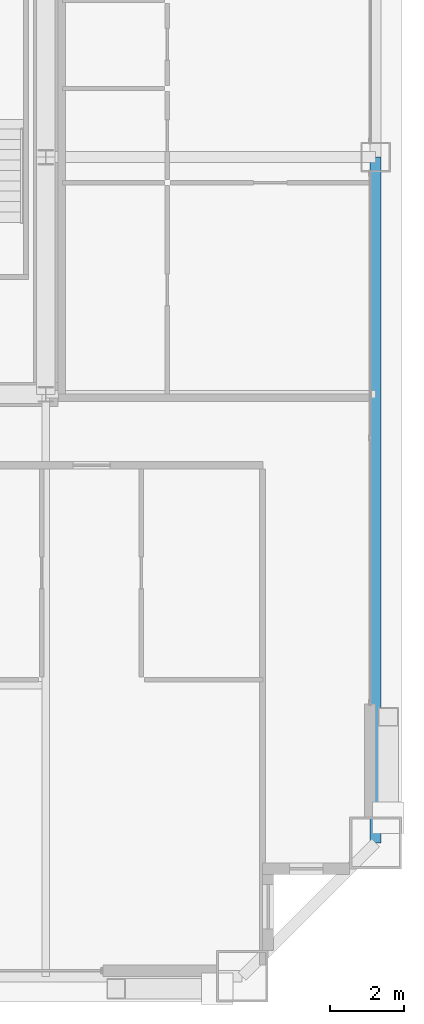
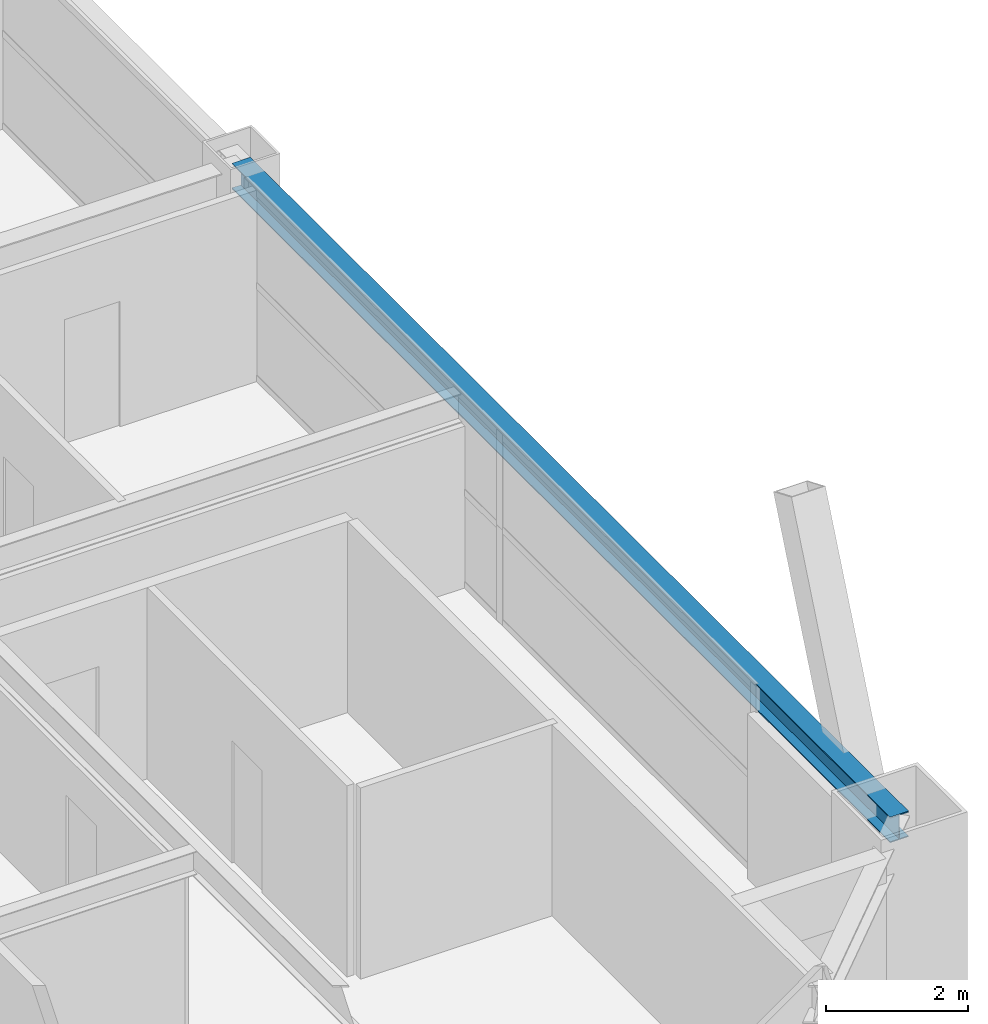
# One storey, part 20 of 42: 1 beam.
"""IFC4 building model written with IfcOpenShell, lengths in metres."""

from ifc_helpers import new_model, si_unit, direction, frame, origin, origin_2d, place, context, subcontext, project, spatial, i_section, extrude, source, transform, mapped, material, material_profile, profile_set, type_object, element, save


model = new_model("IFC4")

# Units and contexts
model_context = context("Model", 3, precision=1e-05, world=origin(), true_north=direction((0.0, 1.0)))
body_context = subcontext(model_context, "Body", "Model", "MODEL_VIEW")
ifc_project = project(units=[si_unit("LENGTHUNIT", "METRE"), si_unit("AREAUNIT", "SQUARE_METRE"), si_unit("VOLUMEUNIT", "CUBIC_METRE"), si_unit("PLANEANGLEUNIT", "RADIAN"), si_unit("MASSUNIT", "GRAM", prefix="KILO"), si_unit("THERMODYNAMICTEMPERATUREUNIT", "KELVIN"), si_unit("POWERUNIT", "WATT")], contexts=[model_context])

# Site, building, storey
site_placement = place(None, origin())
site = spatial("IfcSite", under=ifc_project, at=site_placement, CompositionType="ELEMENT")
building_placement = place(site_placement, origin())
building = spatial("IfcBuilding", under=site, at=building_placement, Name="Yuzanri Waterfront Tower", CompositionType="ELEMENT")
storey_placement = place(building_placement, frame((0.0, 0.0, 184.5)))
storey = spatial("IfcBuildingStorey", under=building, at=storey_placement, Name="L48", CompositionType="ELEMENT", Elevation=184.5)

# Beam
ifc_material = material(Name="Steel Q355B", Category="steel")
ifc_material_profile = material_profile(ifc_material, i_section(OverallWidth=0.300048828125, OverallDepth=0.43994140625, WebThickness=0.010986328125, FlangeThickness=0.01806640625, at=origin_2d()), Name="HM 440x300x11x18")
ifc_profile_set = profile_set([ifc_material_profile], Name="Steel Q355B")
beam_type = type_object("IfcBeamType", Name="Perimeter Spandrel Q355B HM 440x300", PredefinedType="SPANDREL", material=ifc_profile_set)
shared_shape = source(origin(), body_context, "Body", "SweptSolid", [
    extrude(i_section(OverallWidth=0.300048828125, OverallDepth=0.43994140625, WebThickness=0.010986328125, FlangeThickness=0.01806640625, at=origin_2d()), origin(), (0.0, 0.0, 1.0), 18.5),
])
beam_placement = place(storey_placement, frame((59.10009765625, 7.300048828125, 3.06005859375), z_axis=(0.0, 1.0, 0.0), x_axis=(-1.0, 0.0, 0.0)))
element("IfcBeam", 1, at=beam_placement, inside=storey, type_object=beam_type, Name="L48 Perimeter Spandrel E1-E2", PredefinedType="SPANDREL", context=body_context, shape_type="MappedRepresentation", body=[
    mapped(shared_shape, transform((0.0, 0.0, 0.0), scale=1.0)),
])

save(model, "model.ifc")
